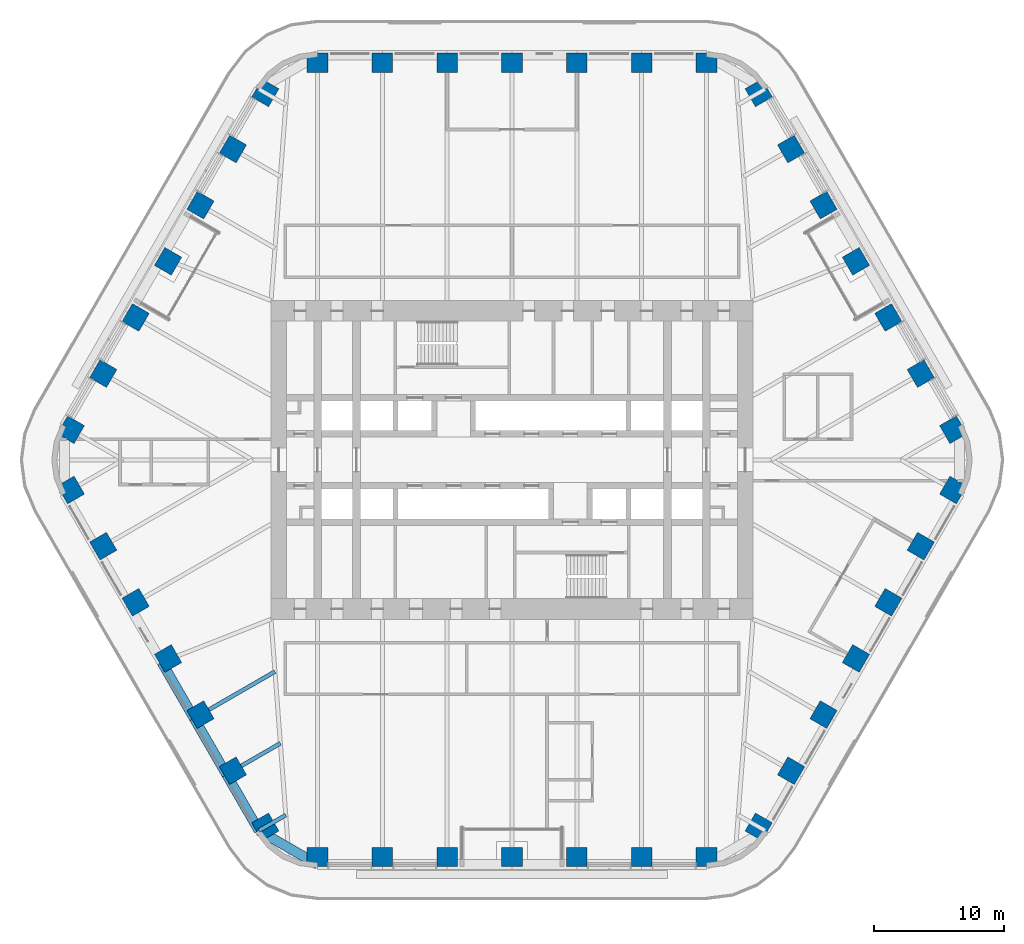
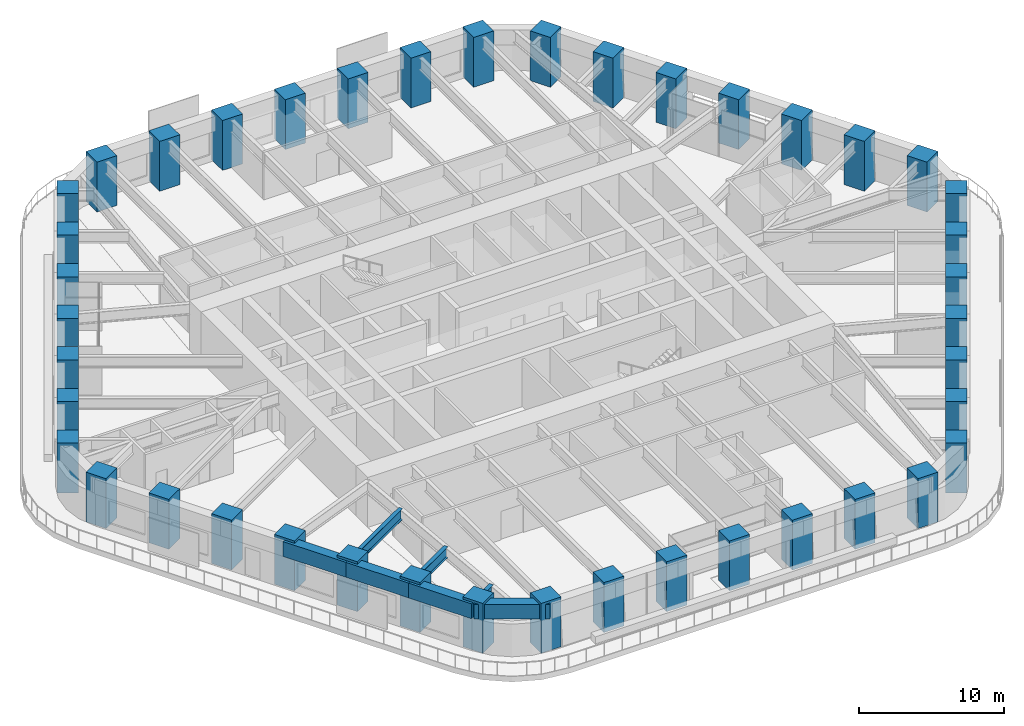
# One storey, part 1 of 24: 42 columns, 7 beams.
"""IFC4 building model written with IfcOpenShell, lengths in metres."""

from ifc_helpers import new_model, si_unit, direction, frame, origin, origin_2d, place, context, subcontext, project, spatial, rectangle, i_section, extrude, material, material_profile, profile_set, type_object, element, save


model = new_model("IFC4")

# Units and contexts
model_context = context("Model", 3, precision=1e-05, world=origin(), true_north=direction((0.0, 1.0)))
body_context = subcontext(model_context, "Body", "Model", "MODEL_VIEW")
ifc_project = project(units=[si_unit("LENGTHUNIT", "METRE"), si_unit("AREAUNIT", "SQUARE_METRE"), si_unit("VOLUMEUNIT", "CUBIC_METRE"), si_unit("PLANEANGLEUNIT", "RADIAN"), si_unit("MASSUNIT", "GRAM", prefix="KILO")], contexts=[model_context])

# Site, building, storey
site_placement = place(None, origin())
site = spatial("IfcSite", under=ifc_project, at=site_placement, CompositionType="ELEMENT")
building_placement = place(site_placement, origin())
building = spatial("IfcBuilding", under=site, at=building_placement, Name="Tarfa Lantern Tower", CompositionType="ELEMENT")
storey_placement = place(building_placement, frame((0.0, 0.0, 157.300048828125)))
storey = spatial("IfcBuildingStorey", under=building, at=storey_placement, Name="L35", CompositionType="ELEMENT", Elevation=157.300048828125)

# Columns
ifc_material_1 = material(Name="Concrete C80/95", Category="concrete")
ifc_material_profile_1 = material_profile(ifc_material_1, rectangle(XDim=1.60009765625, YDim=1.5, at=origin_2d()), Name="RC 1600x1500")
ifc_profile_set_1 = profile_set([ifc_material_profile_1], Name="Concrete C80/95")
column_type = type_object("IfcColumnType", Name="TC6 RC 1600x1500", PredefinedType="COLUMN", material=ifc_profile_set_1)
for number, where, z_axis, x_axis, name in (
    (1, (34.04931640625, 2.324951171875, 0.0), (0.0, 0.0, 1.0), (-0.5, 0.866025403784, 0.0), "Tube column NE0"),
    (2, (31.54736328125, 6.658447265625, 0.0), (0.0, 0.0, 1.0), (-0.5, 0.866025403784, 0.0), "Tube column NE1"),
    (3, (29.04541015625, 10.99169921875, 0.0), (0.0, 0.0, 1.0), (-0.5, 0.866025403784, 0.0), "Tube column NE2"),
    (4, (26.543701171875, 15.324951171875, 0.0), (0.0, 0.0, 1.0), (-0.5, 0.866025403784, 0.0), "Tube column NE3"),
    (5, (24.041748046875, 19.658447265625, 0.0), (0.0, 0.0, 1.0), (-0.5, 0.866025403784, 0.0), "Tube column NE4"),
    (6, (21.5400390625, 23.99169921875, 0.0), (0.0, 0.0, 1.0), (-0.5, 0.866025403784, 0.0), "Tube column NE5"),
    (7, (19.0380859375, 28.324951171875, 0.0), (0.0, 0.0, 1.0), (-0.5, 0.866025403784, 0.0), "Tube column NE6"),
    (8, (15.010986328125, 30.64990234375, 0.0), (0.0, 0.0, 1.0), (-1.0, 0.0, 0.0), "Tube column N0"),
    (9, (10.00732421875, 30.64990234375, 0.0), (0.0, 0.0, 1.0), (-1.0, 0.0, 0.0), "Tube column N1"),
    (10, (5.003662109375, 30.64990234375, 0.0), (0.0, 0.0, 1.0), (-1.0, 0.0, 0.0), "Tube column N2"),
    (11, (0.0, 30.64990234375, 0.0), (0.0, 0.0, 1.0), (-1.0, 0.0, 0.0), "Tube column N3"),
    (12, (-5.003662109375, 30.64990234375, 0.0), (0.0, 0.0, 1.0), (-1.0, 0.0, 0.0), "Tube column N4"),
    (13, (-10.00732421875, 30.64990234375, 0.0), (0.0, 0.0, 1.0), (-1.0, 0.0, 0.0), "Tube column N5"),
    (14, (-15.010986328125, 30.64990234375, 0.0), (0.0, 0.0, 1.0), (-1.0, 0.0, 0.0), "Tube column N6"),
    (15, (-19.0380859375, 28.324951171875, 0.0), (0.0, 0.0, 1.0), (-0.5, -0.866025403784, 0.0), "Tube column NW0"),
    (16, (-21.5400390625, 23.99169921875, 0.0), (0.0, 0.0, 1.0), (-0.5, -0.866025403784, 0.0), "Tube column NW1"),
    (17, (-24.041748046875, 19.658447265625, 0.0), (0.0, 0.0, 1.0), (-0.5, -0.866025403784, 0.0), "Tube column NW2"),
    (18, (-26.543701171875, 15.324951171875, 0.0), (0.0, 0.0, 1.0), (-0.5, -0.866025403784, 0.0), "Tube column NW3"),
    (19, (-29.04541015625, 10.99169921875, 0.0), (0.0, 0.0, 1.0), (-0.5, -0.866025403784, 0.0), "Tube column NW4"),
    (20, (-31.54736328125, 6.658447265625, 0.0), (0.0, 0.0, 1.0), (-0.5, -0.866025403784, 0.0), "Tube column NW5"),
    (21, (-34.04931640625, 2.324951171875, 0.0), (0.0, 0.0, 1.0), (-0.5, -0.866025403784, 0.0), "Tube column NW6"),
    (22, (-34.04931640625, -2.324951171875, 0.0), (0.0, 0.0, 1.0), (0.5, -0.866025403784, 0.0), "Tube column SW0"),
    (23, (-31.54736328125, -6.658447265625, 0.0), (0.0, 0.0, 1.0), (0.5, -0.866025403784, 0.0), "Tube column SW1"),
    (24, (-29.04541015625, -10.99169921875, 0.0), (0.0, 0.0, 1.0), (0.5, -0.866025403784, 0.0), "Tube column SW2"),
    (25, (-26.543701171875, -15.324951171875, 0.0), (0.0, 0.0, 1.0), (0.5, -0.866025403784, 0.0), "Tube column SW3"),
    (26, (-24.041748046875, -19.658447265625, 0.0), (0.0, 0.0, 1.0), (0.5, -0.866025403784, 0.0), "Tube column SW4"),
    (27, (-21.5400390625, -23.99169921875, 0.0), (0.0, 0.0, 1.0), (0.5, -0.866025403784, 0.0), "Tube column SW5"),
    (28, (-19.0380859375, -28.324951171875, 0.0), (0.0, 0.0, 1.0), (0.5, -0.866025403784, 0.0), "Tube column SW6"),
    (29, (-15.010986328125, -30.64990234375, 0.0), (0.0, 0.0, 1.0), (1.0, 0.0, 0.0), "Tube column S0"),
    (30, (-10.00732421875, -30.64990234375, 0.0), (0.0, 0.0, 1.0), (1.0, 0.0, 0.0), "Tube column S1"),
    (31, (-5.003662109375, -30.64990234375, 0.0), (0.0, 0.0, 1.0), (1.0, 0.0, 0.0), "Tube column S2"),
    (32, (0.0, -30.64990234375, 0.0), (0.0, 0.0, 1.0), (1.0, 0.0, 0.0), "Tube column S3"),
    (33, (5.003662109375, -30.64990234375, 0.0), (0.0, 0.0, 1.0), (1.0, 0.0, 0.0), "Tube column S4"),
    (34, (10.00732421875, -30.64990234375, 0.0), (0.0, 0.0, 1.0), (1.0, 0.0, 0.0), "Tube column S5"),
    (35, (15.010986328125, -30.64990234375, 0.0), (0.0, 0.0, 1.0), (1.0, 0.0, 0.0), "Tube column S6"),
    (36, (19.0380859375, -28.324951171875, 0.0), (0.0, 0.0, 1.0), (0.5, 0.866025403784, 0.0), "Tube column SE0"),
    (37, (21.5400390625, -23.99169921875, 0.0), (0.0, 0.0, 1.0), (0.5, 0.866025403784, 0.0), "Tube column SE1"),
    (38, (24.041748046875, -19.658447265625, 0.0), (0.0, 0.0, 1.0), (0.5, 0.866025403784, 0.0), "Tube column SE2"),
    (39, (26.543701171875, -15.324951171875, 0.0), (0.0, 0.0, 1.0), (0.5, 0.866025403784, 0.0), "Tube column SE3"),
    (40, (29.04541015625, -10.99169921875, 0.0), (0.0, 0.0, 1.0), (0.5, 0.866025403784, 0.0), "Tube column SE4"),
    (41, (31.54736328125, -6.658447265625, 0.0), (0.0, 0.0, 1.0), (0.5, 0.866025403784, 0.0), "Tube column SE5"),
    (42, (34.04931640625, -2.324951171875, 0.0), (0.0, 0.0, 1.0), (0.5, 0.866025403784, 0.0), "Tube column SE6"),
):
    element("IfcColumn", number, at=place(storey_placement, frame(where, z_axis=z_axis, x_axis=x_axis)), inside=storey, type_object=column_type, Name=name, PredefinedType="COLUMN", context=body_context, shape_type="SweptSolid", body=[
        extrude(rectangle(XDim=1.60009765625, YDim=1.5, at=origin_2d()), origin(), (0.0, 0.0, 1.0), 4.199951171875),
    ])

# Beams
ifc_material_profile_2 = material_profile(ifc_material_1, rectangle(XDim=0.75, YDim=1.25, at=origin_2d()), Name="RC 750x1250")
ifc_profile_set_2 = profile_set([ifc_material_profile_2], Name="Concrete C80/95")
beam_type_1 = type_object("IfcBeamType", Name="EB2 RC 750x1250", PredefinedType="SPANDREL", material=ifc_profile_set_2)
for number, where, z_axis, x_axis, name in (
    (43, (-27.037353515625, -15.610107421875, 3.375), (0.500022324899, -0.866012514114, 0.0), (0.866012514114, 0.500022324899, 0.0), "Edge beam SW3"),
    (44, (-24.535400390625, -19.943359375, 3.375), (0.49998573051, -0.866033642122, 0.0), (0.866033642122, 0.49998573051, 0.0), "Edge beam SW4"),
):
    element("IfcBeam", number, at=place(storey_placement, frame(where, z_axis=z_axis, x_axis=x_axis)), inside=storey, type_object=beam_type_1, Name=name, PredefinedType="SPANDREL", context=body_context, shape_type="SweptSolid", body=[
        extrude(rectangle(XDim=0.75, YDim=1.25, at=origin_2d()), origin(), (0.0, 0.0, 1.0), 5.003662109375),
    ])
beam_1_placement = place(storey_placement, frame((-22.03369140625, -24.276611328125, 3.375), z_axis=(0.500001197378, -0.866024712477, 0.0), x_axis=(0.866024712477, 0.500001197378, 0.0)))
element("IfcBeam", 45, at=beam_1_placement, inside=storey, type_object=beam_type_1, Name="Edge beam SW5", PredefinedType="SPANDREL", context=body_context, shape_type="SweptSolid", body=[
    extrude(rectangle(XDim=0.75, YDim=1.25, at=origin_2d()), origin(), (0.0, 0.0, 1.0), 5.00390625),
])
beam_2_placement = place(storey_placement, frame((-19.53173828125, -28.610107421875, 3.375), z_axis=(0.86604150238, -0.499972115377, 0.0), x_axis=(0.499972115377, 0.86604150238, 0.0)))
element("IfcBeam", 46, at=beam_2_placement, inside=storey, type_object=beam_type_1, Name="Edge beam SW6", PredefinedType="SPANDREL", context=body_context, shape_type="SweptSolid", body=[
    extrude(rectangle(XDim=0.75, YDim=1.25, at=origin_2d()), origin(), (0.0, 0.0, 1.0), 5.219970703125),
])
ifc_material_2 = material(Name="Steel S460M", Category="steel")
ifc_material_profile_3 = material_profile(ifc_material_2, i_section(OverallWidth=0.305419921875, OverallDepth=0.91845703125, WebThickness=0.017333984375, FlangeThickness=0.02783203125, FilletRadius=0.01904296875, at=origin_2d()), Name="UB914x305x253")
ifc_profile_set_3 = profile_set([ifc_material_profile_3], Name="Steel S460M")
beam_type_2 = type_object("IfcBeamType", Name="UB914x305x253", PredefinedType="BEAM", material=ifc_profile_set_3)
beam_3_placement = place(storey_placement, frame((-24.535400390625, -19.943359375, 3.540771484375), z_axis=(0.86602647304, 0.499998147991, 0.0), x_axis=(-0.499998147991, 0.86602647304, 0.0)))
element("IfcBeam", 47, at=beam_3_placement, inside=storey, type_object=beam_type_2, Name="Floor beam SW4", PredefinedType="BEAM", context=body_context, shape_type="SweptSolid", body=[
    extrude(i_section(OverallWidth=0.305419921875, OverallDepth=0.91845703125, WebThickness=0.017333984375, FlangeThickness=0.02783203125, FilletRadius=0.01904296875, at=origin_2d()), origin(), (0.0, 0.0, 1.0), 7.20556640625),
])
beam_4_placement = place(storey_placement, frame((-22.03369140625, -24.276611328125, 3.540771484375), z_axis=(0.866030550462, 0.499991085587, 0.0), x_axis=(-0.499991085587, 0.866030550462, 0.0)))
element("IfcBeam", 48, at=beam_4_placement, inside=storey, type_object=beam_type_2, Name="Floor beam SW5", PredefinedType="BEAM", context=body_context, shape_type="SweptSolid", body=[
    extrude(i_section(OverallWidth=0.305419921875, OverallDepth=0.91845703125, WebThickness=0.017333984375, FlangeThickness=0.02783203125, FilletRadius=0.01904296875, at=origin_2d()), origin(), (0.0, 0.0, 1.0), 4.798828125),
])
beam_5_placement = place(storey_placement, frame((-19.53173828125, -28.610107421875, 3.540771484375), z_axis=(0.865998640954, 0.500046351717, 0.0), x_axis=(-0.500046351717, 0.865998640954, 0.0)))
element("IfcBeam", 49, at=beam_5_placement, inside=storey, type_object=beam_type_2, Name="Floor beam SW6", PredefinedType="BEAM", context=body_context, shape_type="SweptSolid", body=[
    extrude(i_section(OverallWidth=0.305419921875, OverallDepth=0.91845703125, WebThickness=0.017333984375, FlangeThickness=0.02783203125, FilletRadius=0.01904296875, at=origin_2d()), origin(), (0.0, 0.0, 1.0), 2.392333984375),
])

save(model, "model.ifc")
